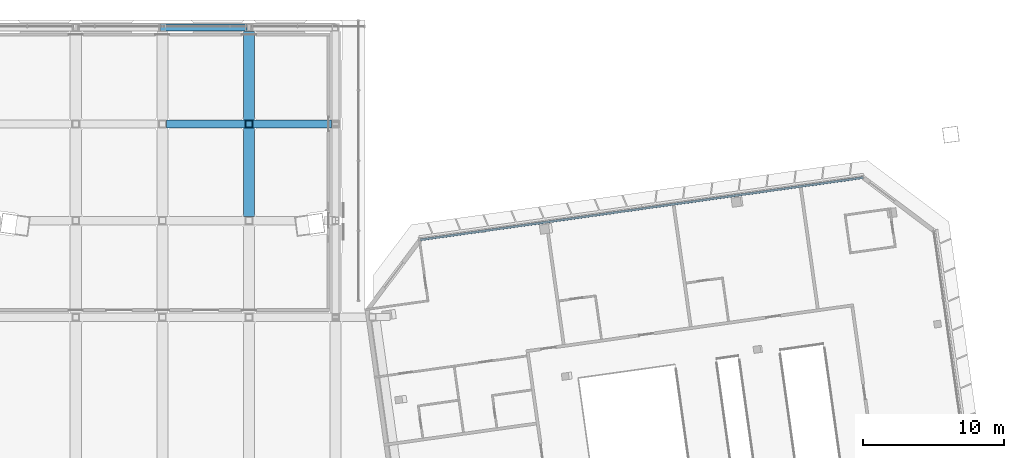
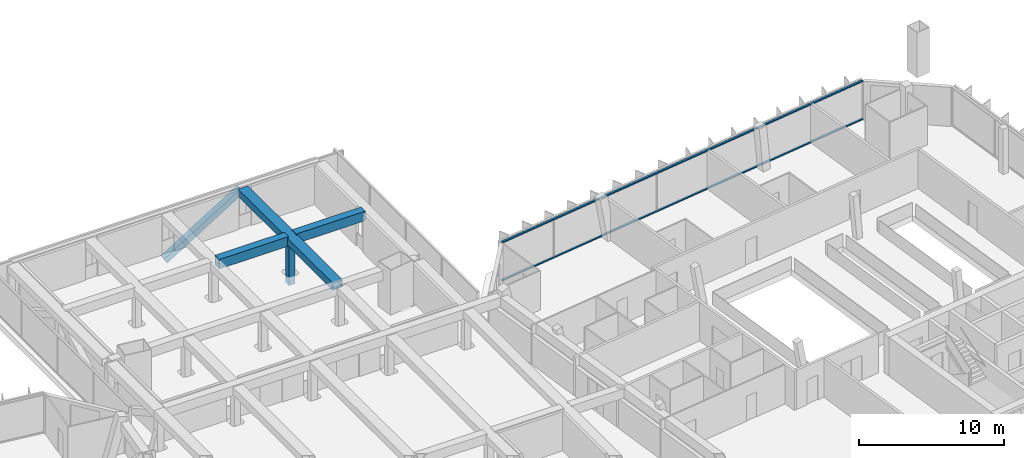
# One storey, part 13 of 30: 7 members, 1 element without a shape of its own.
"""IFC4 building model written with IfcOpenShell, lengths in metres."""

from ifc_helpers import new_model, si_unit, direction, frame, origin, origin_2d, place, context, subcontext, project, spatial, rectangle, hollow_rectangle, extrude, material, material_profile, profile_set, type_object, element, aggregate, save


model = new_model("IFC4")

# Units and contexts
model_context = context("Model", 3, precision=1e-05, world=origin(), true_north=direction((0.0, 1.0)))
body_context = subcontext(model_context, "Body", "Model", "MODEL_VIEW")
ifc_project = project(units=[si_unit("LENGTHUNIT", "METRE"), si_unit("AREAUNIT", "SQUARE_METRE"), si_unit("VOLUMEUNIT", "CUBIC_METRE"), si_unit("PLANEANGLEUNIT", "RADIAN"), si_unit("MASSUNIT", "GRAM", prefix="KILO")], contexts=[model_context])

# Site, building, storey
site_placement = place(None, origin())
site = spatial("IfcSite", under=ifc_project, at=site_placement, CompositionType="ELEMENT")
building_placement = place(site_placement, origin())
building = spatial("IfcBuilding", under=site, at=building_placement, Name="Mirante Cascada Hotel Towers", CompositionType="ELEMENT")
storey_placement = place(building_placement, frame((0.0, 0.0, 258.4)))
storey = spatial("IfcBuildingStorey", under=building, at=storey_placement, Name="L62", CompositionType="ELEMENT", Elevation=258.4)

# Members
ifc_material_1 = material(Name="Steel ASTM A572 Gr 50", Category="steel")
ifc_material_profile_1 = material_profile(ifc_material_1, hollow_rectangle(XDim=0.6, YDim=0.8, WallThickness=0.04, at=origin_2d()), Name="Box chord 800x600x40 ASTM A572 Gr 50")
ifc_profile_set_1 = profile_set([ifc_material_profile_1], Name="Steel ASTM A572 Gr 50")
member_type_1 = type_object("IfcMemberType", Name="Box chord 800x600x40 ASTM A572 Gr 50", PredefinedType="CHORD", material=ifc_profile_set_1)
member_1_placement = place(storey_placement, frame((6.1257, 17.0475, 2.9), z_axis=(0.0, 1.0, 0.0), x_axis=(0.0, 0.0, 1.0)))
element("IfcMember", 1, at=member_1_placement, inside=storey, type_object=member_type_1, Name="dchord sky park L63 16", PredefinedType="CHORD", context=body_context, shape_type="SweptSolid", body=[
    extrude(hollow_rectangle(XDim=0.6, YDim=0.8, WallThickness=0.04, at=origin_2d()), origin(), (0.0, 0.0, 1.0), 13.0667),
])
for number, where, z_axis, x_axis, name in (
    (2, (0.3, 23.5808, 2.9), (1.0, 0.0, 0.0), (0.0, 1.0, 0.0), "dchord sky park L63 35"),
    (3, (6.4257, 23.5808, 2.9), (1.0, 0.0, 0.0), (0.0, 1.0, 0.0), "dchord sky park L63 36"),
):
    element("IfcMember", number, at=place(storey_placement, frame(where, z_axis=z_axis, x_axis=x_axis)), inside=storey, type_object=member_type_1, Name=name, PredefinedType="CHORD", context=body_context, shape_type="SweptSolid", body=[
        extrude(hollow_rectangle(XDim=0.6, YDim=0.8, WallThickness=0.04, at=origin_2d()), origin(), (0.0, 0.0, 1.0), 5.5257),
    ])
ifc_material_2 = material(Name="Steel ASTM A572 Gr 50", Category="steel")
ifc_material_profile_2 = material_profile(ifc_material_2, hollow_rectangle(XDim=0.5, YDim=0.5, WallThickness=0.03, at=origin_2d()), Name="Box diagonal 500x500x30 ASTM A572 Gr 50")
ifc_profile_set_2 = profile_set([ifc_material_profile_2], Name="Steel ASTM A572 Gr 50")
member_type_2 = type_object("IfcMemberType", Name="Box diagonal 500x500x30 ASTM A572 Gr 50", PredefinedType="BRACE", material=ifc_profile_set_2)
member_2_placement = place(storey_placement, frame((0.0, 30.4142, -0.9), z_axis=(0.8497743, 0.0, 0.5271467), x_axis=(0.0, 1.0, 0.0)))
element("IfcMember", 4, at=member_2_placement, inside=storey, type_object=member_type_2, Name="ddiag sky park L62 13", PredefinedType="BRACE", context=body_context, shape_type="SweptSolid", body=[
    extrude(hollow_rectangle(XDim=0.5, YDim=0.5, WallThickness=0.03, at=origin_2d()), origin(), (0.0, 0.0, 1.0), 7.2086),
])
ifc_material_3 = material(Name="Steel ASTM A572 Gr 50", Category="steel")
ifc_material_profile_3 = material_profile(ifc_material_3, hollow_rectangle(XDim=0.5, YDim=0.5, WallThickness=0.03, at=origin_2d()), Name="Box post 500x500x30 ASTM A572 Gr 50")
ifc_profile_set_3 = profile_set([ifc_material_profile_3], Name="Steel ASTM A572 Gr 50")
member_type_3 = type_object("IfcMemberType", Name="Box post 500x500x30 ASTM A572 Gr 50", PredefinedType="POST", material=ifc_profile_set_3)
member_3_placement = place(storey_placement, frame((6.1257, 23.5808, -0.9), z_axis=(0.0, 0.0, 1.0), x_axis=(1.0, 0.0, 0.0)))
element("IfcMember", 5, at=member_3_placement, inside=storey, type_object=member_type_3, Name="dpost sky park L62 27", PredefinedType="POST", context=body_context, shape_type="SweptSolid", body=[
    extrude(hollow_rectangle(XDim=0.5, YDim=0.5, WallThickness=0.03, at=origin_2d()), origin(), (0.0, 0.0, 1.0), 3.8),
])

# Curtain wall, members
ifc_material_4 = material(Name="Aluminium mullion and transom frame with clear laminated glass", Category="aluminium")
curtain_wall_type = type_object("IfcCurtainWallType", Name="Ribbon curtain wall ECW1", PredefinedType="NOTDEFINED", material=ifc_material_4)
curtain_wall_placement = place(storey_placement, origin())
curtain_wall = element("IfcCurtainWall", 6, at=curtain_wall_placement, inside=storey, type_object=curtain_wall_type, Name="Front ribbon wall T2 L62", PredefinedType="NOTDEFINED")
ifc_material_5 = material(Name="Anodised aluminium extrusion", Category="aluminium")
ifc_material_profile_4 = material_profile(ifc_material_5, rectangle(XDim=0.16, YDim=0.1, at=origin_2d()), Name="ECW1 TRANSOM 100x160")
ifc_profile_set_4 = profile_set([ifc_material_profile_4], Name="Anodised aluminium extrusion")
member_type_4 = type_object("IfcMemberType", Name="ECW1 transom 100x160", PredefinedType="USERDEFINED", material=ifc_profile_set_4)
member_4_placement = place(storey_placement, frame((49.5961, 19.7893, 0.05), z_axis=(-0.990268, -0.1391734, 0.0), x_axis=(0.1391734, -0.990268, 0.0)))
member_4 = element("IfcMember", 7, at=member_4_placement, type_object=member_type_4, Name="ECW1 sill transom", ObjectType="TRANSOM", PredefinedType="USERDEFINED", context=body_context, shape_type="SweptSolid", body=[
    extrude(rectangle(XDim=0.16, YDim=0.1, at=origin_2d()), origin(), (0.0, 0.0, 1.0), 31.6555),
])
member_5_placement = place(storey_placement, frame((49.5961, 19.7893, 3.25), z_axis=(-0.990268, -0.1391734, 0.0), x_axis=(0.1391734, -0.990268, 0.0)))
member_5 = element("IfcMember", 8, at=member_5_placement, type_object=member_type_4, Name="ECW1 head transom", ObjectType="TRANSOM", PredefinedType="USERDEFINED", context=body_context, shape_type="SweptSolid", body=[
    extrude(rectangle(XDim=0.16, YDim=0.1, at=origin_2d()), origin(), (0.0, 0.0, 1.0), 31.6555),
])
aggregate(curtain_wall, [member_4, member_5])

save(model, "model.ifc")
